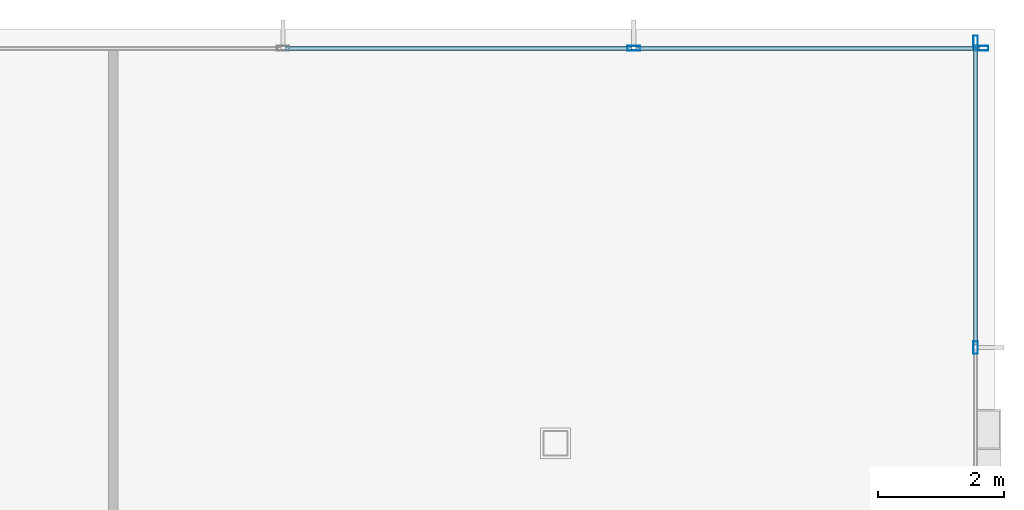
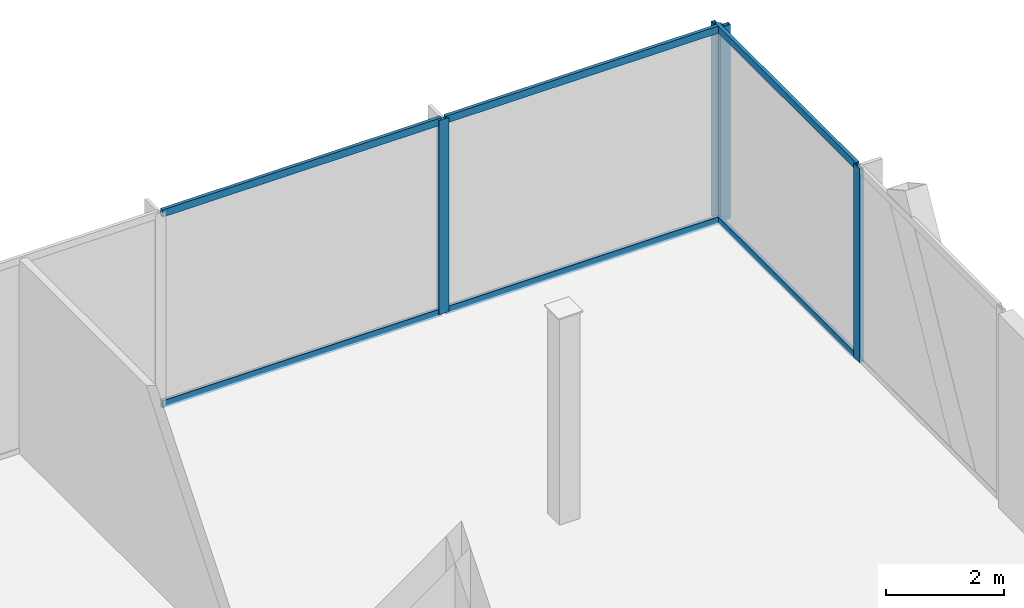
# One storey, part 31 of 42: 10 members, 2 elements without a shape of their own.
"""IFC4 building model written with IfcOpenShell, lengths in metres."""

from ifc_helpers import new_model, si_unit, direction, frame, origin, origin_2d, place, context, subcontext, project, spatial, hollow_rectangle, extrude, material, layer, layer_set, material_profile, profile_set, type_object, element, aggregate, save


model = new_model("IFC4")

# Units and contexts
model_context = context("Model", 3, precision=1e-05, world=origin(), true_north=direction((0.0, 1.0)))
body_context = subcontext(model_context, "Body", "Model", "MODEL_VIEW")
ifc_project = project(units=[si_unit("LENGTHUNIT", "METRE"), si_unit("AREAUNIT", "SQUARE_METRE"), si_unit("VOLUMEUNIT", "CUBIC_METRE"), si_unit("PLANEANGLEUNIT", "RADIAN"), si_unit("MASSUNIT", "GRAM", prefix="KILO")], contexts=[model_context])

# Site, building, storey
site_placement = place(None, origin())
site = spatial("IfcSite", under=ifc_project, at=site_placement, CompositionType="ELEMENT")
building_placement = place(site_placement, origin())
building = spatial("IfcBuilding", under=site, at=building_placement, Name="Orvanel Arch Residences", CompositionType="ELEMENT")
storey_placement = place(building_placement, frame((0.0, 0.0, 9.800048828125)))
storey = spatial("IfcBuildingStorey", under=building, at=storey_placement, Name="L02", CompositionType="ELEMENT", Elevation=9.800048828125)

# Curtain wall, members
ifc_material = material(Name="Bronze-anodised aluminium AA6063-T6", Category="aluminium")
ifc_layer = layer(ifc_material, 0.199951171875)
ifc_layer_set = layer_set([ifc_layer], Name="Bronze-anodised aluminium AA6063-T6")
curtain_wall_type = type_object("IfcCurtainWallType", Name="CW1-POD-SYS", PredefinedType="NOTDEFINED", material=ifc_layer_set)
curtain_wall_1_placement = place(storey_placement, origin())
curtain_wall_1 = element("IfcCurtainWall", 1, at=curtain_wall_1_placement, inside=storey, type_object=curtain_wall_type, Name="L02 CW1-POD-SYS Unitised Curtain Wall", PredefinedType="NOTDEFINED")
ifc_material_profile_1 = material_profile(ifc_material, hollow_rectangle(XDim=0.074951171875, YDim=0.199951171875, WallThickness=0.0048828125, at=origin_2d()), Name="ALU200x75x5")
ifc_profile_set_1 = profile_set([ifc_material_profile_1], Name="Bronze-anodised aluminium AA6063-T6")
member_type_1 = type_object("IfcMemberType", Name="MUL-200x75", PredefinedType="MULLION", material=ifc_profile_set_1)
member_1_placement = place(storey_placement, frame((64.552490234375, 54.25, 0.0), z_axis=(0.0, 0.0, 1.0), x_axis=(0.0, -1.0, 0.0)))
member_1 = element("IfcMember", 2, at=member_1_placement, type_object=member_type_1, Name="CW-S1 mullion 1", PredefinedType="MULLION", context=body_context, shape_type="SweptSolid", body=[
    extrude(hollow_rectangle(XDim=0.074951171875, YDim=0.199951171875, WallThickness=0.0048828125, at=origin_2d()), origin(), (0.0, 0.0, 1.0), 4.02001953125),
])
member_2_placement = place(storey_placement, frame((59.0400390625, 54.25, 0.0), z_axis=(0.0, 0.0, 1.0), x_axis=(0.0, -1.0, 0.0)))
member_2 = element("IfcMember", 3, at=member_2_placement, type_object=member_type_1, Name="CW-S1 mullion 2", PredefinedType="MULLION", context=body_context, shape_type="SweptSolid", body=[
    extrude(hollow_rectangle(XDim=0.074951171875, YDim=0.199951171875, WallThickness=0.0048828125, at=origin_2d()), origin(), (0.0, 0.0, 1.0), 4.02001953125),
])

curtain_wall_2_placement = place(storey_placement, origin())
curtain_wall_2 = element("IfcCurtainWall", 4, at=curtain_wall_2_placement, inside=storey, type_object=curtain_wall_type, Name="L02 CW1-POD-SYS Unitised Curtain Wall", PredefinedType="NOTDEFINED")
member_3_placement = place(storey_placement, frame((64.449951171875, 49.514892578125, 0.0), z_axis=(0.0, 0.0, 1.0), x_axis=(-1.0, 0.0, 0.0)))
member_3 = element("IfcMember", 5, at=member_3_placement, type_object=member_type_1, Name="CW-S1 mullion 2", PredefinedType="MULLION", context=body_context, shape_type="SweptSolid", body=[
    extrude(hollow_rectangle(XDim=0.074951171875, YDim=0.199951171875, WallThickness=0.0048828125, at=origin_2d()), origin(), (0.0, 0.0, 1.0), 4.02001953125),
])
member_4_placement = place(storey_placement, frame((64.449951171875, 54.3525390625, 0.0), z_axis=(0.0, 0.0, 1.0), x_axis=(-1.0, 0.0, 0.0)))
member_4 = element("IfcMember", 6, at=member_4_placement, type_object=member_type_1, Name="CW-S1 mullion 3", PredefinedType="MULLION", context=body_context, shape_type="SweptSolid", body=[
    extrude(hollow_rectangle(XDim=0.074951171875, YDim=0.199951171875, WallThickness=0.0048828125, at=origin_2d()), origin(), (0.0, 0.0, 1.0), 4.02001953125),
])

# Member
ifc_material_profile_2 = material_profile(ifc_material, hollow_rectangle(XDim=0.06494140625, YDim=0.14990234375, WallThickness=0.00390625, at=origin_2d()), Name="ALU150x65x4")
ifc_profile_set_2 = profile_set([ifc_material_profile_2], Name="Bronze-anodised aluminium AA6063-T6")
member_type_2 = type_object("IfcMemberType", Name="TRN-150x65", PredefinedType="USERDEFINED", material=ifc_profile_set_2)
member_5_placement = place(storey_placement, frame((64.514892578125, 54.25, 0.032470703125), z_axis=(-1.0, 0.0, 0.0), x_axis=(0.0, -1.0, 0.0)))
member_5 = element("IfcMember", 7, at=member_5_placement, type_object=member_type_2, Name="CW-S1 transom 1.1", ObjectType="TRANSOM", PredefinedType="USERDEFINED", context=body_context, shape_type="SweptSolid", body=[
    extrude(hollow_rectangle(XDim=0.06494140625, YDim=0.14990234375, WallThickness=0.00390625, at=origin_2d()), origin(), (0.0, 0.0, 1.0), 5.4375),
])

member_6_placement = place(storey_placement, frame((64.514892578125, 54.25, 3.987548828125), z_axis=(-1.0, 0.0, 0.0), x_axis=(0.0, -1.0, 0.0)))
member_6 = element("IfcMember", 8, at=member_6_placement, type_object=member_type_2, Name="CW-S1 transom 1.2", ObjectType="TRANSOM", PredefinedType="USERDEFINED", context=body_context, shape_type="SweptSolid", body=[
    extrude(hollow_rectangle(XDim=0.06494140625, YDim=0.14990234375, WallThickness=0.00390625, at=origin_2d()), origin(), (0.0, 0.0, 1.0), 5.4375),
])

member_7_placement = place(storey_placement, frame((59.00244140625, 54.25, 0.032470703125), z_axis=(-1.0, 0.0, 0.0), x_axis=(0.0, -1.0, 0.0)))
member_7 = element("IfcMember", 9, at=member_7_placement, type_object=member_type_2, Name="CW-S1 transom 2.1", ObjectType="TRANSOM", PredefinedType="USERDEFINED", context=body_context, shape_type="SweptSolid", body=[
    extrude(hollow_rectangle(XDim=0.06494140625, YDim=0.14990234375, WallThickness=0.00390625, at=origin_2d()), origin(), (0.0, 0.0, 1.0), 5.474853515625),
])

member_8_placement = place(storey_placement, frame((59.00244140625, 54.25, 3.987548828125), z_axis=(-1.0, 0.0, 0.0), x_axis=(0.0, -1.0, 0.0)))
member_8 = element("IfcMember", 10, at=member_8_placement, type_object=member_type_2, Name="CW-S1 transom 2.2", ObjectType="TRANSOM", PredefinedType="USERDEFINED", context=body_context, shape_type="SweptSolid", body=[
    extrude(hollow_rectangle(XDim=0.06494140625, YDim=0.14990234375, WallThickness=0.00390625, at=origin_2d()), origin(), (0.0, 0.0, 1.0), 5.474853515625),
])

aggregate(curtain_wall_1, [member_1, member_2, member_5, member_6, member_7, member_8])

member_9_placement = place(storey_placement, frame((64.449951171875, 49.552490234375, 0.032470703125), z_axis=(0.0, 1.0, 0.0), x_axis=(-1.0, 0.0, 0.0)))
member_9 = element("IfcMember", 11, at=member_9_placement, type_object=member_type_2, Name="CW-S1 transom 2.1", ObjectType="TRANSOM", PredefinedType="USERDEFINED", context=body_context, shape_type="SweptSolid", body=[
    extrude(hollow_rectangle(XDim=0.06494140625, YDim=0.14990234375, WallThickness=0.00390625, at=origin_2d()), origin(), (0.0, 0.0, 1.0), 4.762451171875),
])

member_10_placement = place(storey_placement, frame((64.449951171875, 49.552490234375, 3.987548828125), z_axis=(0.0, 1.0, 0.0), x_axis=(-1.0, 0.0, 0.0)))
member_10 = element("IfcMember", 12, at=member_10_placement, type_object=member_type_2, Name="CW-S1 transom 2.2", ObjectType="TRANSOM", PredefinedType="USERDEFINED", context=body_context, shape_type="SweptSolid", body=[
    extrude(hollow_rectangle(XDim=0.06494140625, YDim=0.14990234375, WallThickness=0.00390625, at=origin_2d()), origin(), (0.0, 0.0, 1.0), 4.762451171875),
])

aggregate(curtain_wall_2, [member_3, member_4, member_9, member_10])

save(model, "model.ifc")
